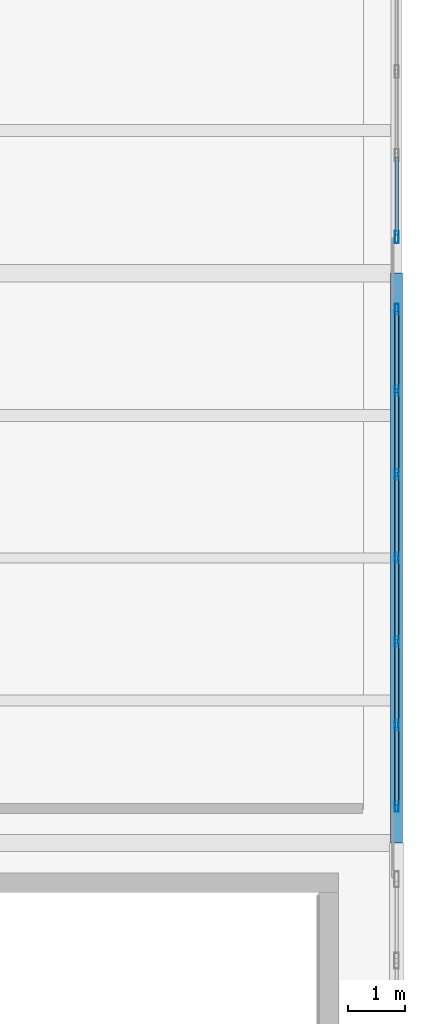
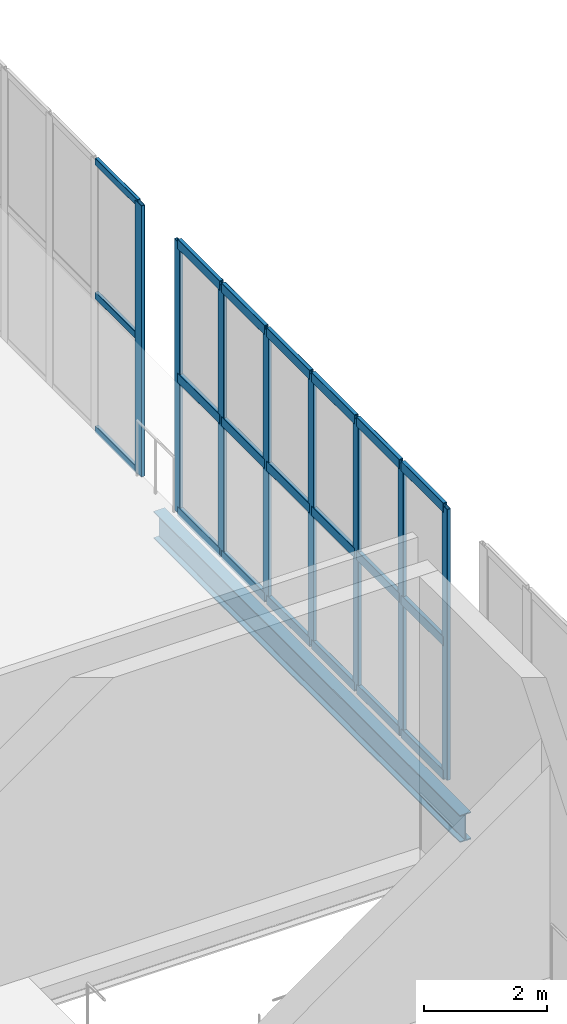
# One storey, part 34 of 74: 29 members, 1 beam, 2 elements without a shape of their own.
"""IFC4 building model written with IfcOpenShell, lengths in metres."""

from ifc_helpers import new_model, si_unit, direction, frame, origin, origin_2d, place, context, subcontext, project, spatial, hollow_rectangle, i_section, extrude, material, layer, layer_set, material_profile, profile_set, type_object, element, aggregate, save


model = new_model("IFC4")

# Units and contexts
model_context = context("Model", 3, precision=1e-05, world=origin(), true_north=direction((0.0, 1.0)))
body_context = subcontext(model_context, "Body", "Model", "MODEL_VIEW")
ifc_project = project(units=[si_unit("LENGTHUNIT", "METRE"), si_unit("AREAUNIT", "SQUARE_METRE"), si_unit("VOLUMEUNIT", "CUBIC_METRE"), si_unit("PLANEANGLEUNIT", "RADIAN"), si_unit("MASSUNIT", "GRAM", prefix="KILO")], contexts=[model_context])

# Site, building, storey
site_placement = place(None, origin())
site = spatial("IfcSite", under=ifc_project, at=site_placement, CompositionType="ELEMENT")
building_placement = place(site_placement, origin())
building = spatial("IfcBuilding", under=site, at=building_placement, Name="Brinegate Civic Arena", CompositionType="ELEMENT")
storey_placement = place(building_placement, frame((0.0, 0.0, 19.199951171875)))
storey = spatial("IfcBuildingStorey", under=building, at=storey_placement, Name="L04", CompositionType="ELEMENT", Elevation=19.199951171875)

# Curtain wall, members
ifc_material_1 = material(Name="Marine grade aluminium", Category="aluminium")
ifc_layer = layer(ifc_material_1, 0.199951171875, Name="Marine grade aluminium")
ifc_layer_set = layer_set([ifc_layer], Name="Marine grade aluminium")
curtain_wall_type = type_object("IfcCurtainWallType", Name="CW-BOWL-GLAZED-01", PredefinedType="USERDEFINED", material=ifc_layer_set)
curtain_wall_1_placement = place(storey_placement, origin())
curtain_wall_1 = element("IfcCurtainWall", 1, at=curtain_wall_1_placement, inside=storey, type_object=curtain_wall_type, Name="Curtain Wall CWA-138", ObjectType="GLAZED CURTAIN WALL", PredefinedType="USERDEFINED")
ifc_material_profile_1 = material_profile(ifc_material_1, hollow_rectangle(XDim=0.06494140625, YDim=0.179931640625, WallThickness=0.0048828125, InnerFilletRadius=0.00390625, OuterFilletRadius=0.008056640625, at=origin_2d()), Name="MUL65X180")
ifc_profile_set_1 = profile_set([ifc_material_profile_1], Name="Marine grade aluminium")
member_type_1 = type_object("IfcMemberType", Name="CW-MULLION-65X180", PredefinedType="MULLION", material=ifc_profile_set_1)
member_1_placement = place(storey_placement, frame((168.0, 52.632568359375, 0.0), z_axis=(0.0, 0.0, 1.0), x_axis=(-1.0, 0.0, 0.0)))
member_1 = element("IfcMember", 2, at=member_1_placement, type_object=member_type_1, Name="CWA-138 mullion 1", PredefinedType="MULLION", context=body_context, shape_type="SweptSolid", body=[
    extrude(hollow_rectangle(XDim=0.06494140625, YDim=0.179931640625, WallThickness=0.0048828125, InnerFilletRadius=0.00390625, OuterFilletRadius=0.008056640625, at=origin_2d()), origin(), (0.0, 0.0, 1.0), 5.400146484375),
])
member_2_placement = place(storey_placement, frame((168.0, 54.066650390625, 0.0), z_axis=(0.0, 0.0, 1.0), x_axis=(-1.0, 0.0, 0.0)))
member_2 = element("IfcMember", 3, at=member_2_placement, type_object=member_type_1, Name="CWA-138 mullion 2", PredefinedType="MULLION", context=body_context, shape_type="SweptSolid", body=[
    extrude(hollow_rectangle(XDim=0.06494140625, YDim=0.179931640625, WallThickness=0.0048828125, InnerFilletRadius=0.00390625, OuterFilletRadius=0.008056640625, at=origin_2d()), origin(), (0.0, 0.0, 1.0), 5.400146484375),
])
member_3_placement = place(storey_placement, frame((168.0, 55.533447265625, 0.0), z_axis=(0.0, 0.0, 1.0), x_axis=(-1.0, 0.0, 0.0)))
member_3 = element("IfcMember", 4, at=member_3_placement, type_object=member_type_1, Name="CWA-138 mullion 3", PredefinedType="MULLION", context=body_context, shape_type="SweptSolid", body=[
    extrude(hollow_rectangle(XDim=0.06494140625, YDim=0.179931640625, WallThickness=0.0048828125, InnerFilletRadius=0.00390625, OuterFilletRadius=0.008056640625, at=origin_2d()), origin(), (0.0, 0.0, 1.0), 5.400146484375),
])
member_4_placement = place(storey_placement, frame((168.0, 57.0, 0.0), z_axis=(0.0, 0.0, 1.0), x_axis=(-1.0, 0.0, 0.0)))
member_4 = element("IfcMember", 5, at=member_4_placement, type_object=member_type_1, Name="CWA-138 mullion 4", PredefinedType="MULLION", context=body_context, shape_type="SweptSolid", body=[
    extrude(hollow_rectangle(XDim=0.06494140625, YDim=0.179931640625, WallThickness=0.0048828125, InnerFilletRadius=0.00390625, OuterFilletRadius=0.008056640625, at=origin_2d()), origin(), (0.0, 0.0, 1.0), 5.400146484375),
])
member_5_placement = place(storey_placement, frame((168.0, 58.466552734375, 0.0), z_axis=(0.0, 0.0, 1.0), x_axis=(-1.0, 0.0, 0.0)))
member_5 = element("IfcMember", 6, at=member_5_placement, type_object=member_type_1, Name="CWA-138 mullion 5", PredefinedType="MULLION", context=body_context, shape_type="SweptSolid", body=[
    extrude(hollow_rectangle(XDim=0.06494140625, YDim=0.179931640625, WallThickness=0.0048828125, InnerFilletRadius=0.00390625, OuterFilletRadius=0.008056640625, at=origin_2d()), origin(), (0.0, 0.0, 1.0), 5.400146484375),
])
member_6_placement = place(storey_placement, frame((168.0, 59.933349609375, 0.0), z_axis=(0.0, 0.0, 1.0), x_axis=(-1.0, 0.0, 0.0)))
member_6 = element("IfcMember", 7, at=member_6_placement, type_object=member_type_1, Name="CWA-138 mullion 6", PredefinedType="MULLION", context=body_context, shape_type="SweptSolid", body=[
    extrude(hollow_rectangle(XDim=0.06494140625, YDim=0.179931640625, WallThickness=0.0048828125, InnerFilletRadius=0.00390625, OuterFilletRadius=0.008056640625, at=origin_2d()), origin(), (0.0, 0.0, 1.0), 5.400146484375),
])
member_7_placement = place(storey_placement, frame((168.0, 61.367431640625, 0.0), z_axis=(0.0, 0.0, 1.0), x_axis=(-1.0, 0.0, 0.0)))
member_7 = element("IfcMember", 8, at=member_7_placement, type_object=member_type_1, Name="CWA-138 mullion 7", PredefinedType="MULLION", context=body_context, shape_type="SweptSolid", body=[
    extrude(hollow_rectangle(XDim=0.06494140625, YDim=0.179931640625, WallThickness=0.0048828125, InnerFilletRadius=0.00390625, OuterFilletRadius=0.008056640625, at=origin_2d()), origin(), (0.0, 0.0, 1.0), 5.400146484375),
])

curtain_wall_2_placement = place(storey_placement, origin())
curtain_wall_2 = element("IfcCurtainWall", 9, at=curtain_wall_2_placement, inside=storey, type_object=curtain_wall_type, Name="Curtain Wall CWA-139", ObjectType="GLAZED CURTAIN WALL", PredefinedType="USERDEFINED")
ifc_material_profile_2 = material_profile(ifc_material_1, hollow_rectangle(XDim=0.06494140625, YDim=0.219970703125, WallThickness=0.006103515625, InnerFilletRadius=0.00390625, OuterFilletRadius=0.008056640625, at=origin_2d()), Name="MUL65X220")
ifc_profile_set_2 = profile_set([ifc_material_profile_2], Name="Marine grade aluminium")
member_type_2 = type_object("IfcMemberType", Name="CW-MULLION-65X220", PredefinedType="MULLION", material=ifc_profile_set_2)
member_8_placement = place(storey_placement, frame((168.0, 62.632568359375, 0.0), z_axis=(0.0, 0.0, 1.0), x_axis=(-1.0, 0.0, 0.0)))
member_8 = element("IfcMember", 10, at=member_8_placement, type_object=member_type_2, Name="CWA-139 mullion 1", PredefinedType="MULLION", context=body_context, shape_type="SweptSolid", body=[
    extrude(hollow_rectangle(XDim=0.06494140625, YDim=0.219970703125, WallThickness=0.006103515625, InnerFilletRadius=0.00390625, OuterFilletRadius=0.008056640625, at=origin_2d()), origin(), (0.0, 0.0, 1.0), 5.400146484375),
])
ifc_material_profile_3 = material_profile(ifc_material_1, hollow_rectangle(XDim=0.06494140625, YDim=0.139892578125, WallThickness=0.0048828125, InnerFilletRadius=0.00390625, OuterFilletRadius=0.008056640625, at=origin_2d()), Name="TRN65X140")
ifc_profile_set_3 = profile_set([ifc_material_profile_3], Name="Marine grade aluminium")
member_type_3 = type_object("IfcMemberType", Name="CW-TRANSOM-65X140", PredefinedType="USERDEFINED", material=ifc_profile_set_3)
member_9_placement = place(storey_placement, frame((168.0, 62.6650390625, 0.032470703125), z_axis=(0.0, 1.0, 0.0), x_axis=(-1.0, 0.0, 0.0)))
member_9 = element("IfcMember", 11, at=member_9_placement, type_object=member_type_3, Name="CWA-139 transom 1.1", ObjectType="TRANSOM", PredefinedType="USERDEFINED", context=body_context, shape_type="SweptSolid", body=[
    extrude(hollow_rectangle(XDim=0.06494140625, YDim=0.139892578125, WallThickness=0.0048828125, InnerFilletRadius=0.00390625, OuterFilletRadius=0.008056640625, at=origin_2d()), origin(), (0.0, 0.0, 1.0), 1.369140625),
])
member_10_placement = place(storey_placement, frame((168.0, 62.6650390625, 2.699951171875), z_axis=(0.0, 1.0, 0.0), x_axis=(-1.0, 0.0, 0.0)))
member_10 = element("IfcMember", 12, at=member_10_placement, type_object=member_type_3, Name="CWA-139 transom 1.2", ObjectType="TRANSOM", PredefinedType="USERDEFINED", context=body_context, shape_type="SweptSolid", body=[
    extrude(hollow_rectangle(XDim=0.06494140625, YDim=0.139892578125, WallThickness=0.0048828125, InnerFilletRadius=0.00390625, OuterFilletRadius=0.008056640625, at=origin_2d()), origin(), (0.0, 0.0, 1.0), 1.369140625),
])
member_11_placement = place(storey_placement, frame((168.0, 62.6650390625, 5.367431640625), z_axis=(0.0, 1.0, 0.0), x_axis=(-1.0, 0.0, 0.0)))
member_11 = element("IfcMember", 13, at=member_11_placement, type_object=member_type_3, Name="CWA-139 transom 1.3", ObjectType="TRANSOM", PredefinedType="USERDEFINED", context=body_context, shape_type="SweptSolid", body=[
    extrude(hollow_rectangle(XDim=0.06494140625, YDim=0.139892578125, WallThickness=0.0048828125, InnerFilletRadius=0.00390625, OuterFilletRadius=0.008056640625, at=origin_2d()), origin(), (0.0, 0.0, 1.0), 1.369140625),
])
aggregate(curtain_wall_2, [member_8, member_9, member_10, member_11])

# Member
ifc_material_profile_4 = material_profile(ifc_material_1, hollow_rectangle(XDim=0.074951171875, YDim=0.18994140625, WallThickness=0.006103515625, InnerFilletRadius=0.00390625, OuterFilletRadius=0.008056640625, at=origin_2d()), Name="TRN75X190")
ifc_profile_set_4 = profile_set([ifc_material_profile_4], Name="Marine grade aluminium")
member_type_4 = type_object("IfcMemberType", Name="CW-TRANSOM-75X190", PredefinedType="USERDEFINED", material=ifc_profile_set_4)
member_12_placement = place(storey_placement, frame((168.0, 52.6650390625, 0.03759765625), z_axis=(0.0, 1.0, 0.0), x_axis=(-1.0, 0.0, 0.0)))
member_12 = element("IfcMember", 14, at=member_12_placement, type_object=member_type_4, Name="CWA-138 transom 1.1", ObjectType="TRANSOM", PredefinedType="USERDEFINED", context=body_context, shape_type="SweptSolid", body=[
    extrude(hollow_rectangle(XDim=0.074951171875, YDim=0.18994140625, WallThickness=0.006103515625, InnerFilletRadius=0.00390625, OuterFilletRadius=0.008056640625, at=origin_2d()), origin(), (0.0, 0.0, 1.0), 1.369140625),
])

member_13_placement = place(storey_placement, frame((168.0, 52.6650390625, 2.699951171875), z_axis=(0.0, 1.0, 0.0), x_axis=(-1.0, 0.0, 0.0)))
member_13 = element("IfcMember", 15, at=member_13_placement, type_object=member_type_4, Name="CWA-138 transom 1.2", ObjectType="TRANSOM", PredefinedType="USERDEFINED", context=body_context, shape_type="SweptSolid", body=[
    extrude(hollow_rectangle(XDim=0.074951171875, YDim=0.18994140625, WallThickness=0.006103515625, InnerFilletRadius=0.00390625, OuterFilletRadius=0.008056640625, at=origin_2d()), origin(), (0.0, 0.0, 1.0), 1.369140625),
])

member_14_placement = place(storey_placement, frame((168.0, 52.6650390625, 5.362548828125), z_axis=(0.0, 1.0, 0.0), x_axis=(-1.0, 0.0, 0.0)))
member_14 = element("IfcMember", 16, at=member_14_placement, type_object=member_type_4, Name="CWA-138 transom 1.3", ObjectType="TRANSOM", PredefinedType="USERDEFINED", context=body_context, shape_type="SweptSolid", body=[
    extrude(hollow_rectangle(XDim=0.074951171875, YDim=0.18994140625, WallThickness=0.006103515625, InnerFilletRadius=0.00390625, OuterFilletRadius=0.008056640625, at=origin_2d()), origin(), (0.0, 0.0, 1.0), 1.369140625),
])

member_15_placement = place(storey_placement, frame((168.0, 54.09912109375, 0.03759765625), z_axis=(0.0, 1.0, 0.0), x_axis=(-1.0, 0.0, 0.0)))
member_15 = element("IfcMember", 17, at=member_15_placement, type_object=member_type_4, Name="CWA-138 transom 2.1", ObjectType="TRANSOM", PredefinedType="USERDEFINED", context=body_context, shape_type="SweptSolid", body=[
    extrude(hollow_rectangle(XDim=0.074951171875, YDim=0.18994140625, WallThickness=0.006103515625, InnerFilletRadius=0.00390625, OuterFilletRadius=0.008056640625, at=origin_2d()), origin(), (0.0, 0.0, 1.0), 1.401611328125),
])

member_16_placement = place(storey_placement, frame((168.0, 54.09912109375, 2.699951171875), z_axis=(0.0, 1.0, 0.0), x_axis=(-1.0, 0.0, 0.0)))
member_16 = element("IfcMember", 18, at=member_16_placement, type_object=member_type_4, Name="CWA-138 transom 2.2", ObjectType="TRANSOM", PredefinedType="USERDEFINED", context=body_context, shape_type="SweptSolid", body=[
    extrude(hollow_rectangle(XDim=0.074951171875, YDim=0.18994140625, WallThickness=0.006103515625, InnerFilletRadius=0.00390625, OuterFilletRadius=0.008056640625, at=origin_2d()), origin(), (0.0, 0.0, 1.0), 1.401611328125),
])

member_17_placement = place(storey_placement, frame((168.0, 54.09912109375, 5.362548828125), z_axis=(0.0, 1.0, 0.0), x_axis=(-1.0, 0.0, 0.0)))
member_17 = element("IfcMember", 19, at=member_17_placement, type_object=member_type_4, Name="CWA-138 transom 2.3", ObjectType="TRANSOM", PredefinedType="USERDEFINED", context=body_context, shape_type="SweptSolid", body=[
    extrude(hollow_rectangle(XDim=0.074951171875, YDim=0.18994140625, WallThickness=0.006103515625, InnerFilletRadius=0.00390625, OuterFilletRadius=0.008056640625, at=origin_2d()), origin(), (0.0, 0.0, 1.0), 1.401611328125),
])

member_18_placement = place(storey_placement, frame((168.0, 55.56591796875, 0.03759765625), z_axis=(0.0, 1.0, 0.0), x_axis=(-1.0, 0.0, 0.0)))
member_18 = element("IfcMember", 20, at=member_18_placement, type_object=member_type_4, Name="CWA-138 transom 3.1", ObjectType="TRANSOM", PredefinedType="USERDEFINED", context=body_context, shape_type="SweptSolid", body=[
    extrude(hollow_rectangle(XDim=0.074951171875, YDim=0.18994140625, WallThickness=0.006103515625, InnerFilletRadius=0.00390625, OuterFilletRadius=0.008056640625, at=origin_2d()), origin(), (0.0, 0.0, 1.0), 1.401611328125),
])

member_19_placement = place(storey_placement, frame((168.0, 55.56591796875, 2.699951171875), z_axis=(0.0, 1.0, 0.0), x_axis=(-1.0, 0.0, 0.0)))
member_19 = element("IfcMember", 21, at=member_19_placement, type_object=member_type_4, Name="CWA-138 transom 3.2", ObjectType="TRANSOM", PredefinedType="USERDEFINED", context=body_context, shape_type="SweptSolid", body=[
    extrude(hollow_rectangle(XDim=0.074951171875, YDim=0.18994140625, WallThickness=0.006103515625, InnerFilletRadius=0.00390625, OuterFilletRadius=0.008056640625, at=origin_2d()), origin(), (0.0, 0.0, 1.0), 1.401611328125),
])

member_20_placement = place(storey_placement, frame((168.0, 55.56591796875, 5.362548828125), z_axis=(0.0, 1.0, 0.0), x_axis=(-1.0, 0.0, 0.0)))
member_20 = element("IfcMember", 22, at=member_20_placement, type_object=member_type_4, Name="CWA-138 transom 3.3", ObjectType="TRANSOM", PredefinedType="USERDEFINED", context=body_context, shape_type="SweptSolid", body=[
    extrude(hollow_rectangle(XDim=0.074951171875, YDim=0.18994140625, WallThickness=0.006103515625, InnerFilletRadius=0.00390625, OuterFilletRadius=0.008056640625, at=origin_2d()), origin(), (0.0, 0.0, 1.0), 1.401611328125),
])

member_21_placement = place(storey_placement, frame((168.0, 57.032470703125, 0.03759765625), z_axis=(0.0, 1.0, 0.0), x_axis=(-1.0, 0.0, 0.0)))
member_21 = element("IfcMember", 23, at=member_21_placement, type_object=member_type_4, Name="CWA-138 transom 4.1", ObjectType="TRANSOM", PredefinedType="USERDEFINED", context=body_context, shape_type="SweptSolid", body=[
    extrude(hollow_rectangle(XDim=0.074951171875, YDim=0.18994140625, WallThickness=0.006103515625, InnerFilletRadius=0.00390625, OuterFilletRadius=0.008056640625, at=origin_2d()), origin(), (0.0, 0.0, 1.0), 1.401611328125),
])

member_22_placement = place(storey_placement, frame((168.0, 57.032470703125, 2.699951171875), z_axis=(0.0, 1.0, 0.0), x_axis=(-1.0, 0.0, 0.0)))
member_22 = element("IfcMember", 24, at=member_22_placement, type_object=member_type_4, Name="CWA-138 transom 4.2", ObjectType="TRANSOM", PredefinedType="USERDEFINED", context=body_context, shape_type="SweptSolid", body=[
    extrude(hollow_rectangle(XDim=0.074951171875, YDim=0.18994140625, WallThickness=0.006103515625, InnerFilletRadius=0.00390625, OuterFilletRadius=0.008056640625, at=origin_2d()), origin(), (0.0, 0.0, 1.0), 1.401611328125),
])

member_23_placement = place(storey_placement, frame((168.0, 57.032470703125, 5.362548828125), z_axis=(0.0, 1.0, 0.0), x_axis=(-1.0, 0.0, 0.0)))
member_23 = element("IfcMember", 25, at=member_23_placement, type_object=member_type_4, Name="CWA-138 transom 4.3", ObjectType="TRANSOM", PredefinedType="USERDEFINED", context=body_context, shape_type="SweptSolid", body=[
    extrude(hollow_rectangle(XDim=0.074951171875, YDim=0.18994140625, WallThickness=0.006103515625, InnerFilletRadius=0.00390625, OuterFilletRadius=0.008056640625, at=origin_2d()), origin(), (0.0, 0.0, 1.0), 1.401611328125),
])

member_24_placement = place(storey_placement, frame((168.0, 58.499267578125, 0.03759765625), z_axis=(0.0, 1.0, 0.0), x_axis=(-1.0, 0.0, 0.0)))
member_24 = element("IfcMember", 26, at=member_24_placement, type_object=member_type_4, Name="CWA-138 transom 5.1", ObjectType="TRANSOM", PredefinedType="USERDEFINED", context=body_context, shape_type="SweptSolid", body=[
    extrude(hollow_rectangle(XDim=0.074951171875, YDim=0.18994140625, WallThickness=0.006103515625, InnerFilletRadius=0.00390625, OuterFilletRadius=0.008056640625, at=origin_2d()), origin(), (0.0, 0.0, 1.0), 1.401611328125),
])

member_25_placement = place(storey_placement, frame((168.0, 58.499267578125, 2.699951171875), z_axis=(0.0, 1.0, 0.0), x_axis=(-1.0, 0.0, 0.0)))
member_25 = element("IfcMember", 27, at=member_25_placement, type_object=member_type_4, Name="CWA-138 transom 5.2", ObjectType="TRANSOM", PredefinedType="USERDEFINED", context=body_context, shape_type="SweptSolid", body=[
    extrude(hollow_rectangle(XDim=0.074951171875, YDim=0.18994140625, WallThickness=0.006103515625, InnerFilletRadius=0.00390625, OuterFilletRadius=0.008056640625, at=origin_2d()), origin(), (0.0, 0.0, 1.0), 1.401611328125),
])

member_26_placement = place(storey_placement, frame((168.0, 58.499267578125, 5.362548828125), z_axis=(0.0, 1.0, 0.0), x_axis=(-1.0, 0.0, 0.0)))
member_26 = element("IfcMember", 28, at=member_26_placement, type_object=member_type_4, Name="CWA-138 transom 5.3", ObjectType="TRANSOM", PredefinedType="USERDEFINED", context=body_context, shape_type="SweptSolid", body=[
    extrude(hollow_rectangle(XDim=0.074951171875, YDim=0.18994140625, WallThickness=0.006103515625, InnerFilletRadius=0.00390625, OuterFilletRadius=0.008056640625, at=origin_2d()), origin(), (0.0, 0.0, 1.0), 1.401611328125),
])

member_27_placement = place(storey_placement, frame((168.0, 59.9658203125, 0.03759765625), z_axis=(0.0, 1.0, 0.0), x_axis=(-1.0, 0.0, 0.0)))
member_27 = element("IfcMember", 29, at=member_27_placement, type_object=member_type_4, Name="CWA-138 transom 6.1", ObjectType="TRANSOM", PredefinedType="USERDEFINED", context=body_context, shape_type="SweptSolid", body=[
    extrude(hollow_rectangle(XDim=0.074951171875, YDim=0.18994140625, WallThickness=0.006103515625, InnerFilletRadius=0.00390625, OuterFilletRadius=0.008056640625, at=origin_2d()), origin(), (0.0, 0.0, 1.0), 1.369140625),
])

member_28_placement = place(storey_placement, frame((168.0, 59.9658203125, 2.699951171875), z_axis=(0.0, 1.0, 0.0), x_axis=(-1.0, 0.0, 0.0)))
member_28 = element("IfcMember", 30, at=member_28_placement, type_object=member_type_4, Name="CWA-138 transom 6.2", ObjectType="TRANSOM", PredefinedType="USERDEFINED", context=body_context, shape_type="SweptSolid", body=[
    extrude(hollow_rectangle(XDim=0.074951171875, YDim=0.18994140625, WallThickness=0.006103515625, InnerFilletRadius=0.00390625, OuterFilletRadius=0.008056640625, at=origin_2d()), origin(), (0.0, 0.0, 1.0), 1.369140625),
])

member_29_placement = place(storey_placement, frame((168.0, 59.9658203125, 5.362548828125), z_axis=(0.0, 1.0, 0.0), x_axis=(-1.0, 0.0, 0.0)))
member_29 = element("IfcMember", 31, at=member_29_placement, type_object=member_type_4, Name="CWA-138 transom 6.3", ObjectType="TRANSOM", PredefinedType="USERDEFINED", context=body_context, shape_type="SweptSolid", body=[
    extrude(hollow_rectangle(XDim=0.074951171875, YDim=0.18994140625, WallThickness=0.006103515625, InnerFilletRadius=0.00390625, OuterFilletRadius=0.008056640625, at=origin_2d()), origin(), (0.0, 0.0, 1.0), 1.369140625),
])

aggregate(curtain_wall_1, [member_1, member_2, member_3, member_4, member_5, member_6, member_7, member_12, member_13, member_14, member_15, member_16, member_17, member_18, member_19, member_20, member_21, member_22, member_23, member_24, member_25, member_26, member_27, member_28, member_29])

# Beam
ifc_material_2 = material(Name="Steel S355", Category="steel")
ifc_material_profile_5 = material_profile(ifc_material_2, i_section(OverallWidth=0.2119140625, OverallDepth=0.5439453125, WebThickness=0.012939453125, FlangeThickness=0.02099609375, FilletRadius=0.01611328125, at=origin_2d()), Name="W530X123")
ifc_profile_set_5 = profile_set([ifc_material_profile_5], Name="Steel S355")
beam_type = type_object("IfcBeamType", Name="SPANDREL-W530X123", PredefinedType="SPANDREL", material=ifc_profile_set_5)
beam_placement = place(storey_placement, frame((168.0, 52.0, -0.612060546875), z_axis=(0.0, 1.0, 0.0), x_axis=(-1.0, 0.0, 0.0)))
element("IfcBeam", 32, at=beam_placement, inside=storey, type_object=beam_type, Name="Floor Girder BM-L04-GY-14-05", PredefinedType="SPANDREL", context=body_context, shape_type="SweptSolid", body=[
    extrude(i_section(OverallWidth=0.2119140625, OverallDepth=0.5439453125, WebThickness=0.012939453125, FlangeThickness=0.02099609375, FilletRadius=0.01611328125, at=origin_2d()), origin(), (0.0, 0.0, 1.0), 10.0),
])

save(model, "model.ifc")
